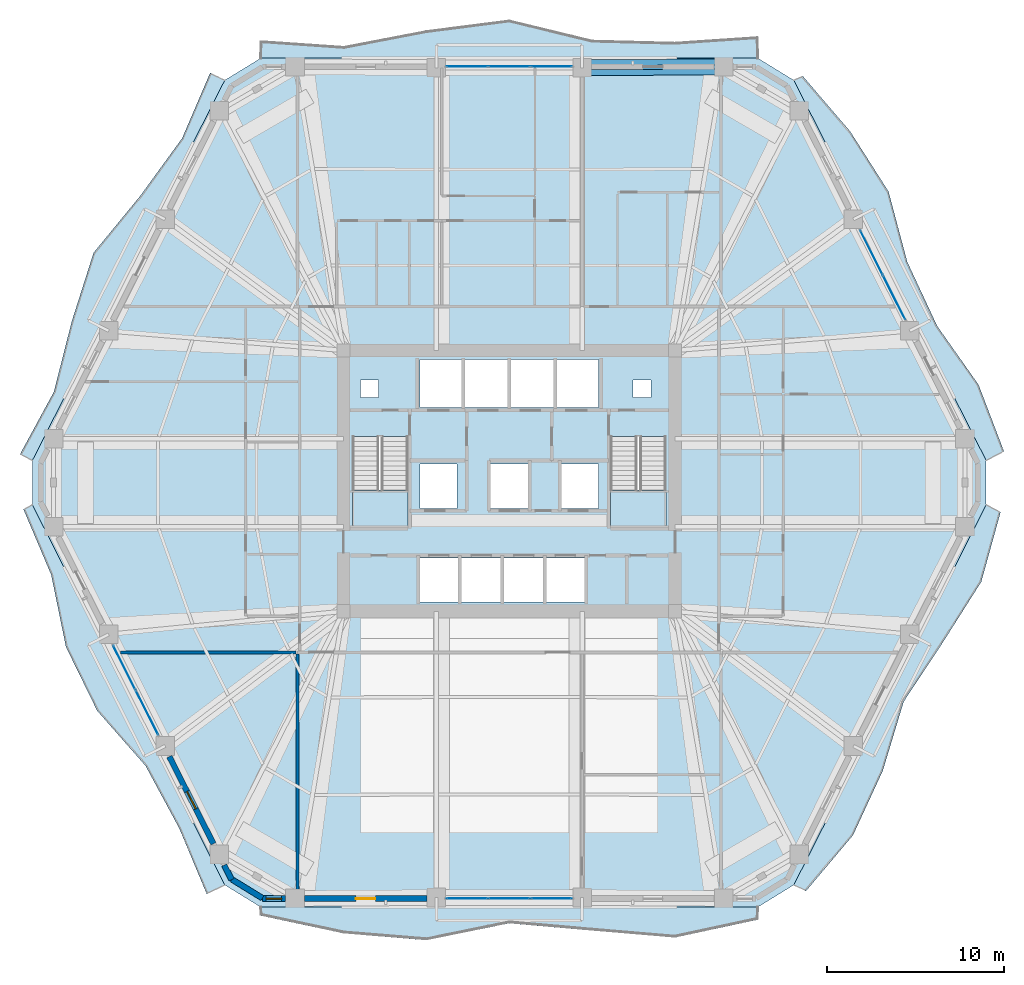
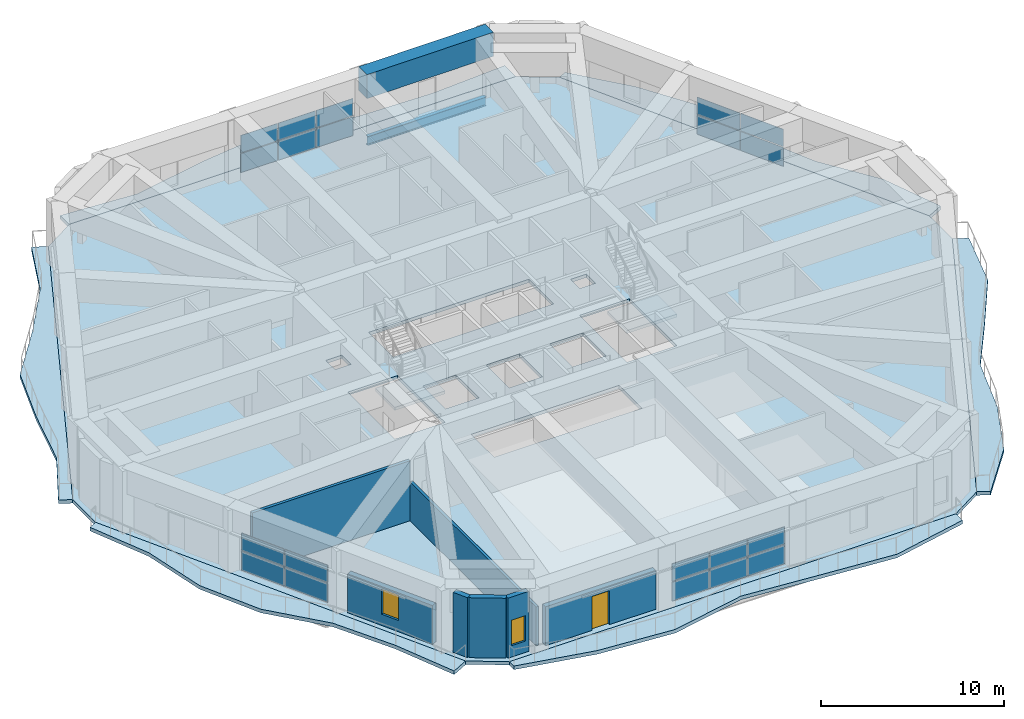
# One storey, part 13 of 23: 20 plates, 9 slabs, 7 walls, 2 beams, 2 windows, 1 door, 3 openings, 6 elements without a shape of their own.
"""IFC4 building model written with IfcOpenShell, lengths in metres."""

from ifc_helpers import new_model, si_unit, direction, frame, frame_2d, origin, origin_2d, place, context, subcontext, project, spatial, polyline, rectangle, i_section, outline, extrude, material, layer, layer_set, material_profile, profile_set, type_object, element, fill, aggregate, save


model = new_model("IFC4")

# Units and contexts
model_context = context("Model", 3, precision=1e-05, world=origin(), true_north=direction((0.0, 1.0)))
body_context = subcontext(model_context, "Body", "Model", "MODEL_VIEW")
ifc_project = project(units=[si_unit("LENGTHUNIT", "METRE"), si_unit("AREAUNIT", "SQUARE_METRE"), si_unit("VOLUMEUNIT", "CUBIC_METRE"), si_unit("PLANEANGLEUNIT", "RADIAN"), si_unit("MASSUNIT", "GRAM", prefix="KILO")], contexts=[model_context])

# Site, building, storey
site_placement = place(None, origin())
site = spatial("IfcSite", under=ifc_project, at=site_placement, CompositionType="ELEMENT")
building_placement = place(site_placement, origin())
building = spatial("IfcBuilding", under=site, at=building_placement, Name="Cinnabar Lancet Tower", CompositionType="ELEMENT")
storey_placement = place(building_placement, frame((0.0, 0.0, 94.199951171875)))
storey = spatial("IfcBuildingStorey", under=building, at=storey_placement, Name="L24", CompositionType="ELEMENT", Elevation=94.199951171875)

# Beams
ifc_material_1 = material(Name="Concrete C70/85", Category="concrete")
ifc_material_profile_1 = material_profile(ifc_material_1, rectangle(XDim=0.89990234375, YDim=1.60009765625, at=origin_2d()), Name="RC-BG 900x1600")
ifc_profile_set_1 = profile_set([ifc_material_profile_1], Name="Concrete C70/85")
beam_type_1 = type_object("IfcBeamType", Name="STR-BM-BG-1600", PredefinedType="BEAM", material=ifc_profile_set_1)
beam_1_placement = place(storey_placement, frame((44.51708984375, 49.31103515625, 3.400146484375), z_axis=(-0.999978046407, -0.006626213389, 0.0), x_axis=(0.006626213389, -0.999978046407, 0.0)))
element("IfcBeam", 1, at=beam_1_placement, inside=storey, type_object=beam_type_1, Name="L25 Setback Outer Ring Girder 13", PredefinedType="BEAM", context=body_context, shape_type="SweptSolid", body=[
    extrude(rectangle(XDim=0.89990234375, YDim=1.60009765625, at=origin_2d()), origin(), (0.0, 0.0, 1.0), 7.995361328125),
])
ifc_material_2 = material(Name="Structural steel S355", Category="steel")
ifc_material_profile_2 = material_profile(ifc_material_2, i_section(OverallWidth=0.228271484375, OverallDepth=0.607666015625, WebThickness=0.010986328125, FlangeThickness=0.017333984375, FilletRadius=0.0126953125, at=origin_2d()), Name="UKB 610x229x113")
ifc_profile_set_2 = profile_set([ifc_material_profile_2], Name="Structural steel S355")
beam_type_2 = type_object("IfcBeamType", Name="STR-BM-SPN-610", PredefinedType="SPANDREL", material=ifc_profile_set_2)
beam_2_placement = place(storey_placement, frame((44.26708984375, 49.30908203125, -0.52392578125), z_axis=(-0.99997856757, -0.006547090947, 0.0), x_axis=(0.006547090947, -0.99997856757, 0.0)))
element("IfcBeam", 2, at=beam_2_placement, inside=storey, type_object=beam_type_2, Name="L24 Perimeter Spandrel 13", PredefinedType="SPANDREL", context=body_context, shape_type="SweptSolid", body=[
    extrude(i_section(OverallWidth=0.228271484375, OverallDepth=0.607666015625, WebThickness=0.010986328125, FlangeThickness=0.017333984375, FilletRadius=0.0126953125, at=origin_2d()), origin(), (0.0, 0.0, 1.0), 7.495361328125),
])

# Curtain wall, plates
ifc_material_3 = material(Name="Thermally broken bronze-anodized aluminium and low-E glass", Category="aluminium")
ifc_layer_1 = layer(ifc_material_3, 0.179931640625)
ifc_layer_set_1 = layer_set([ifc_layer_1], Name="Thermally broken bronze-anodized aluminium and low-E glass")
curtain_wall_type = type_object("IfcCurtainWallType", Name="ENV-CW-SYS-03", PredefinedType="NOTDEFINED", material=ifc_layer_set_1)
curtain_wall_1_placement = place(storey_placement, origin())
curtain_wall_1 = element("IfcCurtainWall", 3, at=curtain_wall_1_placement, inside=storey, type_object=curtain_wall_type, Name="L24 Face 1 Feature Curtain Wall", PredefinedType="NOTDEFINED")
ifc_material_4 = material(Name="Double-silver low-E laminated insulated glass unit", Category="glass")
ifc_layer_2 = layer(ifc_material_4, 0.031982421875)
ifc_layer_set_2 = layer_set([ifc_layer_2], Name="Double-silver low-E laminated insulated glass unit")
plate_type = type_object("IfcPlateType", Name="ENV-CW-PNL-32", PredefinedType="CURTAIN_PANEL", material=ifc_layer_set_2)
plate_1_placement = place(storey_placement, frame((30.019775390625, 2.280029296875, 0.06005859375), z_axis=(0.0, 0.0, 1.0), x_axis=(1.0, 0.0, 0.0)))
plate_1 = element("IfcPlate", 4, at=plate_1_placement, type_object=plate_type, Name="CW-03 panel 1.1", PredefinedType="CURTAIN_PANEL", context=body_context, shape_type="SweptSolid", body=[
    extrude(rectangle(XDim=2.305419921875, YDim=0.028076171875, at=origin_2d()), origin(), (0.0, 0.0, 1.0), 1.257080078125),
])
plate_2_placement = place(storey_placement, frame((30.019775390625, 2.280029296875, 1.376953125), z_axis=(0.0, 0.0, 1.0), x_axis=(1.0, 0.0, 0.0)))
plate_2 = element("IfcPlate", 5, at=plate_2_placement, type_object=plate_type, Name="CW-03 panel 1.2", PredefinedType="CURTAIN_PANEL", context=body_context, shape_type="SweptSolid", body=[
    extrude(rectangle(XDim=2.305419921875, YDim=0.028076171875, at=origin_2d()), origin(), (0.0, 0.0, 1.0), 1.153076171875),
])
plate_3_placement = place(storey_placement, frame((32.39990234375, 2.280029296875, 0.06005859375), z_axis=(0.0, 0.0, 1.0), x_axis=(1.0, 0.0, 0.0)))
plate_3 = element("IfcPlate", 6, at=plate_3_placement, type_object=plate_type, Name="CW-03 panel 2.1", PredefinedType="CURTAIN_PANEL", context=body_context, shape_type="SweptSolid", body=[
    extrude(rectangle(XDim=2.33544921875, YDim=0.028076171875, at=origin_2d()), origin(), (0.0, 0.0, 1.0), 1.257080078125),
])
plate_4_placement = place(storey_placement, frame((32.39990234375, 2.280029296875, 1.376953125), z_axis=(0.0, 0.0, 1.0), x_axis=(1.0, 0.0, 0.0)))
plate_4 = element("IfcPlate", 7, at=plate_4_placement, type_object=plate_type, Name="CW-03 panel 2.2", PredefinedType="CURTAIN_PANEL", context=body_context, shape_type="SweptSolid", body=[
    extrude(rectangle(XDim=2.33544921875, YDim=0.028076171875, at=origin_2d()), origin(), (0.0, 0.0, 1.0), 1.153076171875),
])
plate_5_placement = place(storey_placement, frame((34.7802734375, 2.280029296875, 0.06005859375), z_axis=(0.0, 0.0, 1.0), x_axis=(1.0, 0.0, 0.0)))
plate_5 = element("IfcPlate", 8, at=plate_5_placement, type_object=plate_type, Name="CW-03 panel 3.1", PredefinedType="CURTAIN_PANEL", context=body_context, shape_type="SweptSolid", body=[
    extrude(rectangle(XDim=2.305419921875, YDim=0.028076171875, at=origin_2d()), origin(), (0.0, 0.0, 1.0), 1.257080078125),
])
plate_6_placement = place(storey_placement, frame((34.7802734375, 2.280029296875, 1.376953125), z_axis=(0.0, 0.0, 1.0), x_axis=(1.0, 0.0, 0.0)))
plate_6 = element("IfcPlate", 9, at=plate_6_placement, type_object=plate_type, Name="CW-03 panel 3.2", PredefinedType="CURTAIN_PANEL", context=body_context, shape_type="SweptSolid", body=[
    extrude(rectangle(XDim=2.305419921875, YDim=0.028076171875, at=origin_2d()), origin(), (0.0, 0.0, 1.0), 1.153076171875),
])
aggregate(curtain_wall_1, [plate_1, plate_2, plate_3, plate_4, plate_5, plate_6])

curtain_wall_2_placement = place(storey_placement, origin())
curtain_wall_2 = element("IfcCurtainWall", 10, at=curtain_wall_2_placement, inside=storey, type_object=curtain_wall_type, Name="L24 Face 3 Feature Curtain Wall", PredefinedType="NOTDEFINED")
plate_7_placement = place(storey_placement, frame((54.1630859375, 36.271728515625, 0.06005859375), z_axis=(0.0, 0.0, 1.0), x_axis=(-0.451469977022, 0.892286310468, 0.0)))
plate_7 = element("IfcPlate", 11, at=plate_7_placement, type_object=plate_type, Name="CW-03 panel 1.1", PredefinedType="CURTAIN_PANEL", context=body_context, shape_type="SweptSolid", body=[
    extrude(rectangle(XDim=2.77294921875, YDim=0.028076171875, at=origin_2d()), origin(), (0.0, 0.0, 1.0), 1.257080078125),
])
plate_8_placement = place(storey_placement, frame((54.1630859375, 36.271728515625, 1.376953125), z_axis=(0.0, 0.0, 1.0), x_axis=(-0.451469977022, 0.892286310468, 0.0)))
plate_8 = element("IfcPlate", 12, at=plate_8_placement, type_object=plate_type, Name="CW-03 panel 1.2", PredefinedType="CURTAIN_PANEL", context=body_context, shape_type="SweptSolid", body=[
    extrude(rectangle(XDim=2.77294921875, YDim=0.028076171875, at=origin_2d()), origin(), (0.0, 0.0, 1.0), 1.153076171875),
])
plate_9_placement = place(storey_placement, frame((52.884033203125, 38.79931640625, 0.06005859375), z_axis=(0.0, 0.0, 1.0), x_axis=(-0.451469977022, 0.892286310468, 0.0)))
plate_9 = element("IfcPlate", 13, at=plate_9_placement, type_object=plate_type, Name="CW-03 panel 2.1", PredefinedType="CURTAIN_PANEL", context=body_context, shape_type="SweptSolid", body=[
    extrude(rectangle(XDim=2.77294921875, YDim=0.028076171875, at=origin_2d()), origin(), (0.0, 0.0, 1.0), 1.257080078125),
])
plate_10_placement = place(storey_placement, frame((52.884033203125, 38.79931640625, 1.376953125), z_axis=(0.0, 0.0, 1.0), x_axis=(-0.451469977022, 0.892286310468, 0.0)))
plate_10 = element("IfcPlate", 14, at=plate_10_placement, type_object=plate_type, Name="CW-03 panel 2.2", PredefinedType="CURTAIN_PANEL", context=body_context, shape_type="SweptSolid", body=[
    extrude(rectangle(XDim=2.77294921875, YDim=0.028076171875, at=origin_2d()), origin(), (0.0, 0.0, 1.0), 1.153076171875),
])
aggregate(curtain_wall_2, [plate_7, plate_8, plate_9, plate_10])

curtain_wall_3_placement = place(storey_placement, origin())
curtain_wall_3 = element("IfcCurtainWall", 15, at=curtain_wall_3_placement, inside=storey, type_object=curtain_wall_type, Name="L24 Face 4 Feature Curtain Wall", PredefinedType="NOTDEFINED")
plate_11_placement = place(storey_placement, frame((34.7802734375, 49.320068359375, 0.06005859375), z_axis=(0.0, 0.0, 1.0), x_axis=(-1.0, 0.0, 0.0)))
plate_11 = element("IfcPlate", 16, at=plate_11_placement, type_object=plate_type, Name="CW-03 panel 1.1", PredefinedType="CURTAIN_PANEL", context=body_context, shape_type="SweptSolid", body=[
    extrude(rectangle(XDim=2.305419921875, YDim=0.028076171875, at=origin_2d()), origin(), (0.0, 0.0, 1.0), 1.257080078125),
])
plate_12_placement = place(storey_placement, frame((34.7802734375, 49.320068359375, 1.376953125), z_axis=(0.0, 0.0, 1.0), x_axis=(-1.0, 0.0, 0.0)))
plate_12 = element("IfcPlate", 17, at=plate_12_placement, type_object=plate_type, Name="CW-03 panel 1.2", PredefinedType="CURTAIN_PANEL", context=body_context, shape_type="SweptSolid", body=[
    extrude(rectangle(XDim=2.305419921875, YDim=0.028076171875, at=origin_2d()), origin(), (0.0, 0.0, 1.0), 1.153076171875),
])
plate_13_placement = place(storey_placement, frame((32.39990234375, 49.320068359375, 0.06005859375), z_axis=(0.0, 0.0, 1.0), x_axis=(-1.0, 0.0, 0.0)))
plate_13 = element("IfcPlate", 18, at=plate_13_placement, type_object=plate_type, Name="CW-03 panel 2.1", PredefinedType="CURTAIN_PANEL", context=body_context, shape_type="SweptSolid", body=[
    extrude(rectangle(XDim=2.33544921875, YDim=0.028076171875, at=origin_2d()), origin(), (0.0, 0.0, 1.0), 1.257080078125),
])
plate_14_placement = place(storey_placement, frame((32.39990234375, 49.320068359375, 1.376953125), z_axis=(0.0, 0.0, 1.0), x_axis=(-1.0, 0.0, 0.0)))
plate_14 = element("IfcPlate", 19, at=plate_14_placement, type_object=plate_type, Name="CW-03 panel 2.2", PredefinedType="CURTAIN_PANEL", context=body_context, shape_type="SweptSolid", body=[
    extrude(rectangle(XDim=2.33544921875, YDim=0.028076171875, at=origin_2d()), origin(), (0.0, 0.0, 1.0), 1.153076171875),
])
plate_15_placement = place(storey_placement, frame((30.019775390625, 49.320068359375, 0.06005859375), z_axis=(0.0, 0.0, 1.0), x_axis=(-1.0, 0.0, 0.0)))
plate_15 = element("IfcPlate", 20, at=plate_15_placement, type_object=plate_type, Name="CW-03 panel 3.1", PredefinedType="CURTAIN_PANEL", context=body_context, shape_type="SweptSolid", body=[
    extrude(rectangle(XDim=2.305419921875, YDim=0.028076171875, at=origin_2d()), origin(), (0.0, 0.0, 1.0), 1.257080078125),
])
plate_16_placement = place(storey_placement, frame((30.019775390625, 49.320068359375, 1.376953125), z_axis=(0.0, 0.0, 1.0), x_axis=(-1.0, 0.0, 0.0)))
plate_16 = element("IfcPlate", 21, at=plate_16_placement, type_object=plate_type, Name="CW-03 panel 3.2", PredefinedType="CURTAIN_PANEL", context=body_context, shape_type="SweptSolid", body=[
    extrude(rectangle(XDim=2.305419921875, YDim=0.028076171875, at=origin_2d()), origin(), (0.0, 0.0, 1.0), 1.153076171875),
])
aggregate(curtain_wall_3, [plate_11, plate_12, plate_13, plate_14, plate_15, plate_16])

curtain_wall_4_placement = place(storey_placement, origin())
curtain_wall_4 = element("IfcCurtainWall", 22, at=curtain_wall_4_placement, inside=storey, type_object=curtain_wall_type, Name="L24 Face 6 Feature Curtain Wall", PredefinedType="NOTDEFINED")
plate_17_placement = place(storey_placement, frame((10.636962890625, 15.328369140625, 0.06005859375), z_axis=(0.0, 0.0, 1.0), x_axis=(0.451469977022, -0.892286310468, 0.0)))
plate_17 = element("IfcPlate", 23, at=plate_17_placement, type_object=plate_type, Name="CW-03 panel 1.1", PredefinedType="CURTAIN_PANEL", context=body_context, shape_type="SweptSolid", body=[
    extrude(rectangle(XDim=2.77294921875, YDim=0.028076171875, at=origin_2d()), origin(), (0.0, 0.0, 1.0), 1.257080078125),
])
plate_18_placement = place(storey_placement, frame((10.636962890625, 15.328369140625, 1.376953125), z_axis=(0.0, 0.0, 1.0), x_axis=(0.451469977022, -0.892286310468, 0.0)))
plate_18 = element("IfcPlate", 24, at=plate_18_placement, type_object=plate_type, Name="CW-03 panel 1.2", PredefinedType="CURTAIN_PANEL", context=body_context, shape_type="SweptSolid", body=[
    extrude(rectangle(XDim=2.77294921875, YDim=0.028076171875, at=origin_2d()), origin(), (0.0, 0.0, 1.0), 1.153076171875),
])
plate_19_placement = place(storey_placement, frame((11.916015625, 12.800537109375, 0.06005859375), z_axis=(0.0, 0.0, 1.0), x_axis=(0.451469977022, -0.892286310468, 0.0)))
plate_19 = element("IfcPlate", 25, at=plate_19_placement, type_object=plate_type, Name="CW-03 panel 2.1", PredefinedType="CURTAIN_PANEL", context=body_context, shape_type="SweptSolid", body=[
    extrude(rectangle(XDim=2.77294921875, YDim=0.028076171875, at=origin_2d()), origin(), (0.0, 0.0, 1.0), 1.257080078125),
])
plate_20_placement = place(storey_placement, frame((11.916015625, 12.800537109375, 1.376953125), z_axis=(0.0, 0.0, 1.0), x_axis=(0.451469977022, -0.892286310468, 0.0)))
plate_20 = element("IfcPlate", 26, at=plate_20_placement, type_object=plate_type, Name="CW-03 panel 2.2", PredefinedType="CURTAIN_PANEL", context=body_context, shape_type="SweptSolid", body=[
    extrude(rectangle(XDim=2.77294921875, YDim=0.028076171875, at=origin_2d()), origin(), (0.0, 0.0, 1.0), 1.153076171875),
])
aggregate(curtain_wall_4, [plate_17, plate_18, plate_19, plate_20])

# Stair, slab
ifc_material_5 = material(Name="Concrete C40/50", Category="concrete")
stair_type = type_object("IfcStairType", Name="ST-CORE", PredefinedType="HALF_TURN_STAIR", material=ifc_material_5)
stair_1_placement = place(storey_placement, origin())
stair_1 = element("IfcStair", 27, at=stair_1_placement, inside=storey, type_object=stair_type, Name="L24 ST-1", PredefinedType="HALF_TURN_STAIR")
ifc_material_6 = material(Name="Concrete C40/50", Category="concrete")
ifc_layer_3 = layer(ifc_material_6, 0.199951171875)
ifc_layer_set_3 = layer_set([ifc_layer_3], Name="Concrete C40/50")
slab_type_1 = type_object("IfcSlabType", Name="LANDING-CORE", PredefinedType="LANDING", material=ifc_layer_set_3)
slab_1_placement = place(storey_placement, frame((0.0, 0.0, 1.900146484375)))
slab_1 = element("IfcSlab", 28, at=slab_1_placement, type_object=slab_type_1, Name="ST-1 landing 1", PredefinedType="LANDING", context=body_context, shape_type="SweptSolid", body=[
    extrude(outline(polyline([(23.52490234375, 25.375), (23.52490234375, 23.25), (26.675048828125, 23.25), (26.675048828125, 25.375), (23.52490234375, 25.375)])), origin(), (0.0, 0.0, 1.0), 0.199951171875),
])
aggregate(stair_1, [slab_1])

stair_2_placement = place(storey_placement, origin())
stair_2 = element("IfcStair", 29, at=stair_2_placement, inside=storey, type_object=stair_type, Name="L24 ST-2", PredefinedType="HALF_TURN_STAIR")
slab_2_placement = place(storey_placement, frame((0.0, 0.0, 1.900146484375)))
slab_2 = element("IfcSlab", 30, at=slab_2_placement, type_object=slab_type_1, Name="ST-2 landing 1", PredefinedType="LANDING", context=body_context, shape_type="SweptSolid", body=[
    extrude(outline(polyline([(38.125, 25.375), (38.125, 23.25), (41.27490234375, 23.25), (41.27490234375, 25.375), (38.125, 25.375)])), origin(), (0.0, 0.0, 1.0), 0.199951171875),
])
aggregate(stair_2, [slab_2])

# Slabs
ifc_material_7 = material(Name="Concrete C40/50", Category="concrete")
ifc_layer_4 = layer(ifc_material_7, 0.219970703125)
ifc_layer_set_4 = layer_set([ifc_layer_4], Name="Concrete C40/50")
slab_type_2 = type_object("IfcSlabType", Name="STR-SLB-FLR-220", PredefinedType="FLOOR", material=ifc_layer_set_4)
slab_3_placement = place(storey_placement, frame((0.0, 0.0, -0.219970703125)))
element("IfcSlab", 31, at=slab_3_placement, inside=storey, type_object=slab_type_2, Name="L24 Structural Floor Slab", PredefinedType="FLOOR", context=body_context, shape_type="SweptSolid", body=[
    extrude(outline(polyline([(16.31201171875, 3.049072265625), (18.343994140625, 1.800048828125), (46.4560546875, 1.800048828125), (48.488037109375, 3.049072265625), (59.367919921875, 24.551025390625), (59.367919921875, 27.049072265625), (48.488037109375, 48.551025390625), (46.4560546875, 49.800048828125), (18.343994140625, 49.800048828125), (16.31201171875, 48.551025390625), (5.431884765625, 27.049072265625), (5.431884765625, 24.551025390625), (16.31201171875, 3.049072265625)]), holes=[polyline([(23.52490234375, 23.25), (26.675048828125, 23.25), (26.675048828125, 28.3994140625), (23.52490234375, 28.3994140625), (23.52490234375, 23.25)]), polyline([(38.125, 23.25), (41.27490234375, 23.25), (41.27490234375, 28.3994140625), (38.125, 28.3994140625), (38.125, 23.25)]), polyline([(27.35009765625, 30.050048828125), (37.449951171875, 30.050048828125), (37.449951171875, 32.75), (27.35009765625, 32.75), (27.35009765625, 30.050048828125)]), polyline([(27.35009765625, 19.050048828125), (36.64990234375, 19.050048828125), (36.64990234375, 21.550048828125), (27.35009765625, 21.550048828125), (27.35009765625, 19.050048828125)]), polyline([(27.35009765625, 24.35009765625), (29.449951171875, 24.35009765625), (29.449951171875, 26.85009765625), (27.35009765625, 26.85009765625), (27.35009765625, 24.35009765625)]), polyline([(35.35009765625, 24.35009765625), (37.449951171875, 24.35009765625), (37.449951171875, 26.85009765625), (35.35009765625, 26.85009765625), (35.35009765625, 24.35009765625)]), polyline([(31.35009765625, 24.35009765625), (33.449951171875, 24.35009765625), (33.449951171875, 26.85009765625), (31.35009765625, 26.85009765625), (31.35009765625, 24.35009765625)]), polyline([(24.0, 30.60009765625), (25.0, 30.60009765625), (25.0, 31.60009765625), (24.0, 31.60009765625), (24.0, 30.60009765625)]), polyline([(39.39990234375, 30.60009765625), (40.39990234375, 30.60009765625), (40.39990234375, 31.60009765625), (39.39990234375, 31.60009765625), (39.39990234375, 30.60009765625)])]), origin(), (0.0, 0.0, 1.0), 0.219970703125),
])
ifc_material_8 = material(Name="Concrete C45/55", Category="concrete")
ifc_layer_5 = layer(ifc_material_8, 0.239990234375)
ifc_layer_set_5 = layer_set([ifc_layer_5], Name="Concrete C45/55")
slab_type_3 = type_object("IfcSlabType", Name="STR-SLB-WAV-240", PredefinedType="FLOOR", material=ifc_layer_set_5)
slab_4_placement = place(storey_placement, frame((0.0, 0.0, -0.239990234375)))
element("IfcSlab", 32, at=slab_4_placement, inside=storey, type_object=slab_type_3, Name="L24 Face 1 Undulating Wave Balcony Slab", PredefinedType="FLOOR", context=body_context, shape_type="SweptSolid", body=[
    extrude(outline(polyline([(18.343994140625, 1.800048828125), (18.343994140625, 1.31396484375), (23.029052734375, 0.31298828125), (27.715087890625, -0.072021484375), (32.39990234375, 0.882080078125), (37.0849609375, 0.469970703125), (41.77099609375, 0.075927734375), (46.4560546875, 1.0859375), (46.4560546875, 1.800048828125), (18.343994140625, 1.800048828125)])), origin(), (0.0, 0.0, 1.0), 0.239990234375),
])
slab_5_placement = place(storey_placement, frame((0.0, 0.0, -0.239990234375)))
element("IfcSlab", 33, at=slab_5_placement, inside=storey, type_object=slab_type_3, Name="L24 Face 2 Undulating Wave Balcony Slab", PredefinedType="FLOOR", context=body_context, shape_type="SweptSolid", body=[
    extrude(outline(polyline([(48.488037109375, 3.049072265625), (49.173095703125, 2.701904296875), (51.83203125, 5.85791015625), (53.51806640625, 9.506103515625), (54.697998046875, 13.410888671875), (56.926025390625, 16.783935546875), (59.087890625, 20.19189453125), (60.180908203125, 24.139892578125), (59.367919921875, 24.551025390625), (48.488037109375, 3.049072265625)])), origin(), (0.0, 0.0, 1.0), 0.239990234375),
])
slab_6_placement = place(storey_placement, frame((0.0, 0.0, -0.239990234375)))
element("IfcSlab", 34, at=slab_6_placement, inside=storey, type_object=slab_type_3, Name="L24 Face 3 Undulating Wave Balcony Slab", PredefinedType="FLOOR", context=body_context, shape_type="SweptSolid", body=[
    extrude(outline(polyline([(59.367919921875, 27.049072265625), (60.3740234375, 27.55810546875), (58.93505859375, 31.3310546875), (56.596923828125, 34.64990234375), (54.89892578125, 38.291015625), (53.843994140625, 42.259033203125), (51.673095703125, 45.660888671875), (48.98291015625, 48.802001953125), (48.488037109375, 48.551025390625), (59.367919921875, 27.049072265625)])), origin(), (0.0, 0.0, 1.0), 0.239990234375),
])
slab_7_placement = place(storey_placement, frame((0.0, 0.0, -0.239990234375)))
element("IfcSlab", 35, at=slab_7_placement, inside=storey, type_object=slab_type_3, Name="L24 Face 4 Undulating Wave Balcony Slab", PredefinedType="FLOOR", context=body_context, shape_type="SweptSolid", body=[
    extrude(outline(polyline([(46.4560546875, 49.800048828125), (46.4560546875, 51.007080078125), (41.77099609375, 50.698974609375), (37.0849609375, 50.820068359375), (32.39990234375, 51.958984375), (27.715087890625, 51.362060546875), (23.029052734375, 50.4609375), (18.343994140625, 50.779052734375), (18.343994140625, 49.800048828125), (46.4560546875, 49.800048828125)])), origin(), (0.0, 0.0, 1.0), 0.239990234375),
])
slab_8_placement = place(storey_placement, frame((0.0, 0.0, -0.239990234375)))
element("IfcSlab", 36, at=slab_8_placement, inside=storey, type_object=slab_type_3, Name="L24 Face 5 Undulating Wave Balcony Slab", PredefinedType="FLOOR", context=body_context, shape_type="SweptSolid", body=[
    extrude(outline(polyline([(16.31201171875, 48.551025390625), (15.487060546875, 48.968994140625), (13.90087890625, 45.27001953125), (11.508056640625, 41.97900390625), (8.89599609375, 38.800048828125), (7.6630859375, 34.923095703125), (6.64990234375, 30.93408203125), (4.73388671875, 27.402099609375), (5.431884765625, 27.049072265625), (16.31201171875, 48.551025390625)])), origin(), (0.0, 0.0, 1.0), 0.239990234375),
])
slab_9_placement = place(storey_placement, frame((0.0, 0.0, -0.239990234375)))
element("IfcSlab", 37, at=slab_9_placement, inside=storey, type_object=slab_type_3, Name="L24 Face 6 Undulating Wave Balcony Slab", PredefinedType="FLOOR", context=body_context, shape_type="SweptSolid", body=[
    extrude(outline(polyline([(5.431884765625, 24.551025390625), (4.927978515625, 24.2958984375), (6.498046875, 20.589111328125), (7.333984375, 16.510986328125), (9.096923828125, 12.902099609375), (11.833984375, 9.785888671875), (13.741943359375, 6.25), (15.297119140625, 2.534912109375), (16.31201171875, 3.049072265625), (5.431884765625, 24.551025390625)])), origin(), (0.0, 0.0, 1.0), 0.239990234375),
])

# Walls
ifc_material_9 = material(Name="Acoustic twin-stud gypsum partition", Category="gypsum")
ifc_layer_6 = layer(ifc_material_9, 0.159912109375)
ifc_layer_set_6 = layer_set([ifc_layer_6], Name="Acoustic twin-stud gypsum partition")
wall_type_1 = type_object("IfcWallType", Name="ARC-WL-CORR-160", PredefinedType="PARTITIONING", material=ifc_layer_set_6)
wall_1_placement = place(storey_placement, frame((20.43310546875, 2.364990234375, 0.0), z_axis=(0.0, 0.0, 1.0), x_axis=(0.0, 1.0, 0.0)))
element("IfcWall", 38, at=wall_1_placement, inside=storey, type_object=wall_type_1, Name="PW-L24-SLW", PredefinedType="PARTITIONING", context=body_context, shape_type="SweptSolid", body=[
    extrude(rectangle(XDim=13.75, YDim=0.159912109375, at=frame_2d((6.875, 0.0))), origin(), (0.0, 0.0, 1.0), 2.590087890625),
])
ifc_material_10 = material(Name="Fire-rated twin-frame acoustic drywall", Category="gypsum")
ifc_layer_7 = layer(ifc_material_10, 0.179931640625)
ifc_layer_set_7 = layer_set([ifc_layer_7], Name="Fire-rated twin-frame acoustic drywall")
wall_type_2 = type_object("IfcWallType", Name="ARC-WL-PARTY-180", PredefinedType="PARTITIONING", material=ifc_layer_set_7)
wall_2_placement = place(storey_placement, frame((10.426025390625, 16.199951171875, 0.0), z_axis=(0.0, 0.0, 1.0), x_axis=(1.0, 0.0, 0.0)))
element("IfcWall", 39, at=wall_2_placement, inside=storey, type_object=wall_type_2, Name="PW-L24-WSB", PredefinedType="PARTITIONING", context=body_context, shape_type="SweptSolid", body=[
    extrude(rectangle(XDim=9.921875, YDim=0.179931640625, at=frame_2d((4.9609375, 0.0))), origin(), (0.0, 0.0, 1.0), 3.989990234375),
])
ifc_material_11 = material(Name="Warm buff clay brick", Category="masonry")
ifc_layer_8 = layer(ifc_material_11, 0.320068359375)
ifc_layer_set_8 = layer_set([ifc_layer_8], Name="Warm buff clay brick")
wall_type_3 = type_object("IfcWallType", Name="ENV-WL-BRK-BUF-320", PredefinedType="STANDARD", material=ifc_layer_set_8)
wall_3_placement = place(storey_placement, frame((16.718017578125, 3.363037109375, 0.0), z_axis=(0.0, 0.0, 1.0), x_axis=(0.851915195909, -0.523679767586, 0.0)))
element("IfcWall", 40, at=wall_3_placement, inside=storey, type_object=wall_type_3, Name="L24 Chamfered Corner Brick Pier 1.1", PredefinedType="STANDARD", context=body_context, shape_type="SweptSolid", body=[
    extrude(rectangle(XDim=2.0224609375, YDim=0.320068359375, at=frame_2d((1.01123046875, 0.0))), origin(), (0.0, 0.0, 1.0), 3.989990234375),
])

# Wall, opening, window
wall_4_placement = place(storey_placement, frame((18.43603515625, 2.280029296875, 0.0), z_axis=(0.0, 0.0, 1.0), x_axis=(1.0, 0.0, 0.0)))
wall_4 = element("IfcWall", 41, at=wall_4_placement, inside=storey, type_object=wall_type_3, Name="L24 Face 1 Masonry Bay Wall 1", PredefinedType="STANDARD", context=body_context, shape_type="SweptSolid", body=[
    extrude(rectangle(XDim=1.31787109375, YDim=0.320068359375, at=frame_2d((0.658935546875, 0.0))), origin(), (0.0, 0.0, 1.0), 3.989990234375),
])
opening_1_placement = place(wall_4_placement, frame((0.219970703125, 0.0, 0.75)))
opening_1 = element("IfcOpeningElement", 42, at=opening_1_placement, cuts=wall_4, Name="Opening WN-04", PredefinedType="OPENING", context=body_context, shape_type="SweptSolid", body=[
    extrude(rectangle(XDim=0.8779296875, YDim=1.699951171875, at=frame_2d((0.43896484375, 0.85009765625))), frame((0.0, 0.169921875, 0.0), z_axis=(0.0, -1.0, 0.0), x_axis=(1.0, 0.0, 0.0)), (0.0, 0.0, 1.0), 0.340087890625),
])
ifc_material_12 = material(Name="Thermally broken bronze-anodized aluminium tall lancet window", Category="aluminium")
window_type = type_object("IfcWindowType", Name="ENV-WN-LANCET-1100", PartitioningType="SINGLE_PANEL", PredefinedType="WINDOW", material=ifc_material_12)
window_1_placement = place(opening_1_placement, origin())
window_1 = element("IfcWindow", 43, at=window_1_placement, inside=storey, type_object=window_type, Name="L24 Split-Bay Gothic Lancet Window 78", OverallHeight=1.699951171875, OverallWidth=0.8779296875, PartitioningType="SINGLE_PANEL", PredefinedType="WINDOW", context=body_context, shape_type="SweptSolid", body=[
    extrude(rectangle(XDim=0.8779296875, YDim=1.699951171875, at=frame_2d((0.43896484375, 0.85009765625))), frame((0.0, 0.030029296875, 0.0), z_axis=(0.0, -1.0, 0.0), x_axis=(1.0, 0.0, 0.0)), (0.0, 0.0, 1.0), 0.06005859375),
])
fill(opening_1, window_1)

# Wall, opening, door
wall_5_placement = place(storey_placement, frame((20.81201171875, 2.280029296875, 0.0), z_axis=(0.0, 0.0, 1.0), x_axis=(1.0, 0.0, 0.0)))
wall_5 = element("IfcWall", 44, at=wall_5_placement, inside=storey, type_object=wall_type_3, Name="L24 Face 1 Masonry Bay Wall 2", PredefinedType="STANDARD", context=body_context, shape_type="SweptSolid", body=[
    extrude(rectangle(XDim=6.93701171875, YDim=0.320068359375, at=frame_2d((3.468505859375, 0.0))), origin(), (0.0, 0.0, 1.0), 2.590087890625),
])
opening_2_placement = place(wall_5_placement, frame((2.91796875, 0.0, 0.0)))
opening_2 = element("IfcOpeningElement", 45, at=opening_2_placement, cuts=wall_5, Name="Opening TD-01", PredefinedType="OPENING", context=body_context, shape_type="SweptSolid", body=[
    extrude(rectangle(XDim=1.10009765625, YDim=2.25, at=frame_2d((0.550048828125, 1.125))), frame((0.0, 0.169921875, 0.0), z_axis=(0.0, -1.0, 0.0), x_axis=(1.0, 0.0, 0.0)), (0.0, 0.0, 1.0), 0.340087890625),
])
ifc_material_13 = material(Name="Thermally broken low-E glazed balcony terrace door", Category="wood")
door_type = type_object("IfcDoorType", Name="ARC-DR-BALC", OperationType="NOTDEFINED", PredefinedType="DOOR", material=ifc_material_13)
door_placement = place(opening_2_placement, origin())
door = element("IfcDoor", 46, at=door_placement, inside=storey, type_object=door_type, Name="L24 Face 1 Glazed Terrace Door", OperationType="SINGLE_SWING_LEFT", OverallHeight=2.25, OverallWidth=1.10009765625, PredefinedType="DOOR", context=body_context, shape_type="SweptSolid", body=[
    extrude(rectangle(XDim=1.10009765625, YDim=2.25, at=frame_2d((0.550048828125, 1.125))), frame((0.0, 0.02490234375, 0.0), z_axis=(0.0, -1.0, 0.0), x_axis=(1.0, 0.0, 0.0)), (0.0, 0.0, 1.0), 0.050048828125),
])
fill(opening_2, door)

# Wall, opening, window
wall_6_placement = place(storey_placement, frame((13.177001953125, 10.30810546875, 0.0), z_axis=(0.0, 0.0, 1.0), x_axis=(0.451552549164, -0.892244526654, 0.0)))
wall_6 = element("IfcWall", 47, at=wall_6_placement, inside=storey, type_object=wall_type_3, Name="L24 Face 6 Masonry Bay Wall 4", PredefinedType="STANDARD", context=body_context, shape_type="SweptSolid", body=[
    extrude(rectangle(XDim=5.530029296875, YDim=0.320068359375, at=frame_2d((2.76513671875, 0.0))), origin(), (0.0, 0.0, 1.0), 2.590087890625),
])
opening_3_placement = place(wall_6_placement, frame((2.215087890625, 0.0, 0.75)))
opening_3 = element("IfcOpeningElement", 48, at=opening_3_placement, cuts=wall_6, Name="Opening WN-04", PredefinedType="OPENING", context=body_context, shape_type="SweptSolid", body=[
    extrude(rectangle(XDim=1.10009765625, YDim=1.68994140625, at=frame_2d((0.550048828125, 0.844970703125))), frame((0.0, 0.169921875, 0.0), z_axis=(0.0, -1.0, 0.0), x_axis=(1.0, 0.0, 0.0)), (0.0, 0.0, 1.0), 0.340087890625),
])
window_2_placement = place(opening_3_placement, origin())
window_2 = element("IfcWindow", 49, at=window_2_placement, inside=storey, type_object=window_type, Name="L24 Face 6 Gothic Lancet Window 4", OverallHeight=1.68994140625, OverallWidth=1.10009765625, PartitioningType="SINGLE_PANEL", PredefinedType="WINDOW", context=body_context, shape_type="SweptSolid", body=[
    extrude(rectangle(XDim=1.10009765625, YDim=1.68994140625, at=frame_2d((0.550048828125, 0.844970703125))), frame((0.0, 0.030029296875, 0.0), z_axis=(0.0, -1.0, 0.0), x_axis=(1.0, 0.0, 0.0)), (0.0, 0.0, 1.0), 0.06005859375),
])
fill(opening_3, window_2)

# Wall
wall_7_placement = place(storey_placement, frame((16.281982421875, 4.172119140625, 0.0), z_axis=(0.0, 0.0, 1.0), x_axis=(0.451437519702, -0.892302732152, 0.0)))
element("IfcWall", 50, at=wall_7_placement, inside=storey, type_object=wall_type_3, Name="L24 Face 6 Masonry Bay Wall 5", PredefinedType="STANDARD", context=body_context, shape_type="SweptSolid", body=[
    extrude(rectangle(XDim=0.923583984375, YDim=0.320068359375, at=frame_2d((0.4619140625, 0.0))), origin(), (0.0, 0.0, 1.0), 3.989990234375),
])

save(model, "model.ifc")
